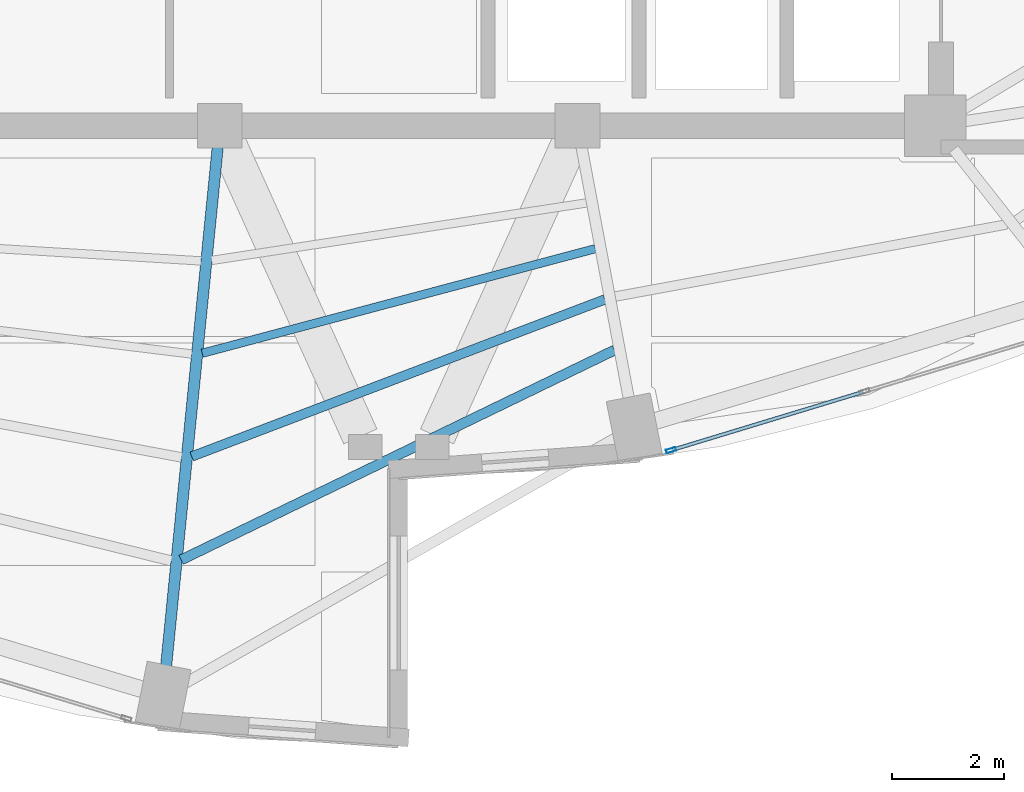
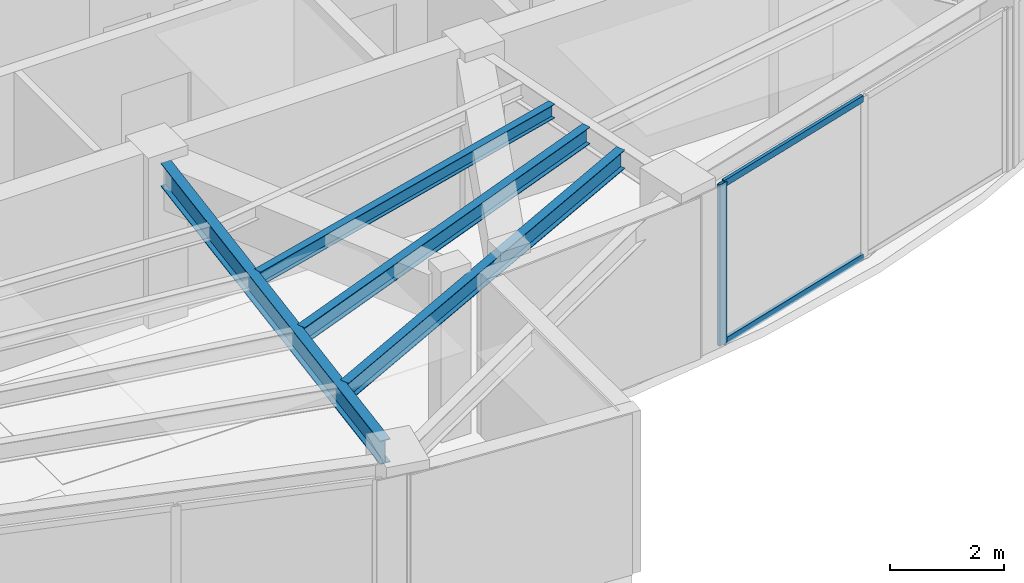
# One storey, part 6 of 23: 4 beams, 3 members, 1 element without a shape of its own.
"""IFC4 building model written with IfcOpenShell, lengths in metres."""

import ifcopenshell
import ifcopenshell.guid

model = None  # the IFC model being written
_history = None  # IfcOwnerHistory: only IFC2X3 demands one
_inside = {}  # id of a spatial element -> (the spatial element, [elements in it])
_under = {}  # id of a project, library or spatial element -> (it, [spatial elements below it])
_declared = {}  # id of a project -> (the project, [libraries it declares])
_typed = {}  # id of a type object -> (the type object, [elements of that type])
_made_of = {}  # id of a material, layer set ... -> (it, [elements and type objects made of it])


def new_model(schema):
    """Start an empty IFC model of exactly this schema.

    Asked for "IFC4X3", IfcOpenShell would pick the latest addendum, in which some entities
    have other attributes; the version numbers below select the first issue.
    IFC2X3 requires an IfcOwnerHistory on every rooted entity: one is made here for all.
    """
    global model, _history
    if schema == "IFC4X3":
        model = ifcopenshell.file(schema_version=(4, 3, 0, 0))
    else:
        model = ifcopenshell.file(schema=schema)
    _inside.clear()
    _under.clear()
    _declared.clear()
    _typed.clear()
    _made_of.clear()
    _history = None
    if model.schema == "IFC2X3":
        org = make("IfcOrganization", Name="unknown")
        user = make(
            "IfcPersonAndOrganization",
            ThePerson=make("IfcPerson", FamilyName="unknown"),
            TheOrganization=org,
        )
        app = make(
            "IfcApplication",
            ApplicationDeveloper=org,
            Version="unknown",
            ApplicationFullName="unknown",
            ApplicationIdentifier="unknown",
        )
        _history = make(
            "IfcOwnerHistory",
            OwningUser=user,
            OwningApplication=app,
            ChangeAction="ADDED",
            CreationDate=0,
        )
    return model


def make(cls, **values):
    """One entity of the class cls with the attributes given. An attribute that is None is left unset."""
    return model.create_entity(
        cls, **{name: value for name, value in values.items() if value is not None}
    )


def rooted(cls, **values):
    """An entity with a GlobalId (a new one), such as an element, a storey or a relation."""
    return make(cls, GlobalId=ifcopenshell.guid.new(), OwnerHistory=_history, **values)


def si_unit(unit_type, name, prefix=None):
    """IfcSIUnit, for example si_unit("LENGTHUNIT", "METRE", prefix="MILLI")."""
    return make("IfcSIUnit", UnitType=unit_type, Prefix=prefix, Name=name)


def assignment(units):
    """IfcUnitAssignment: the units of a project."""
    return None if units is None else make("IfcUnitAssignment", Units=units)


def point(xyz):
    """IfcCartesianPoint."""
    return None if xyz is None else make("IfcCartesianPoint", Coordinates=xyz)


def direction(xyz):
    """IfcDirection."""
    return None if xyz is None else make("IfcDirection", DirectionRatios=xyz)


def frame(location, z_axis=None, x_axis=None):
    """IfcAxis2Placement3D, a coordinate frame: its origin and axes. An axis left out is left unset."""
    return make(
        "IfcAxis2Placement3D",
        Location=point(location),
        Axis=direction(z_axis),
        RefDirection=direction(x_axis),
    )


def frame_2d(location, x_axis=None):
    """IfcAxis2Placement2D, a coordinate frame in the plane: its origin and x axis."""
    return make(
        "IfcAxis2Placement2D", Location=point(location), RefDirection=direction(x_axis)
    )


def origin():
    """The frame at (0, 0, 0) with its axes left unset."""
    return frame((0.0, 0.0, 0.0))


def origin_2d():
    """The frame at (0, 0) in the plane with its x axis left unset."""
    return frame_2d((0.0, 0.0))


def place(relative_to, where):
    """IfcLocalPlacement: puts the frame where relative to a parent placement (None: the world)."""
    return make(
        "IfcLocalPlacement", PlacementRelTo=relative_to, RelativePlacement=where
    )


def context(
    kind, dimensions, precision=None, world=None, true_north=None, identifier=None
):
    """IfcGeometricRepresentationContext, for example the 3D "Model" context."""
    return make(
        "IfcGeometricRepresentationContext",
        ContextIdentifier=identifier,
        ContextType=kind,
        CoordinateSpaceDimension=dimensions,
        Precision=precision,
        WorldCoordinateSystem=world,
        TrueNorth=true_north,
    )


def subcontext(parent, identifier, kind, view, scale=None):
    """IfcGeometricRepresentationSubContext, for example "Body" below "Model"."""
    return make(
        "IfcGeometricRepresentationSubContext",
        ContextIdentifier=identifier,
        ContextType=kind,
        ParentContext=parent,
        TargetScale=scale,
        TargetView=view,
    )


def project(units=None, contexts=None):
    """IfcProject with its units and contexts."""
    return rooted(
        "IfcProject",
        Name="project",
        RepresentationContexts=contexts,
        UnitsInContext=assignment(units),
    )


def spatial(cls, under=None, at=None, **own):
    """A site, building, storey or space (cls), placed at a placement, below another one or the project."""
    s = rooted(cls, ObjectPlacement=at, **own)
    if under is not None:
        _under.setdefault(under.id(), (under, []))[1].append(s)
    return s


def profile(cls, at=None, kind="AREA", **sizes):
    """A parametric profile (cls). Its sizes go by their IFC names, for example OverallWidth=200.0."""
    return make(cls, ProfileType=kind, Position=at, **sizes)


def hollow_rectangle(**sizes):
    """IfcRectangleHollowProfileDef."""
    return profile("IfcRectangleHollowProfileDef", **sizes)


def i_section(**sizes):
    """IfcIShapeProfileDef."""
    return profile("IfcIShapeProfileDef", **sizes)


def extrude(swept, where, along, depth):
    """IfcExtrudedAreaSolid: the profile swept, set in the frame where, extruded along a direction by depth."""
    return make(
        "IfcExtrudedAreaSolid",
        SweptArea=swept,
        Position=where,
        ExtrudedDirection=direction(along),
        Depth=depth,
    )


def shape(context_of_items, identifier, shape_type, items):
    """IfcShapeRepresentation: the items that make up one representation, for example the "Body"."""
    return make(
        "IfcShapeRepresentation",
        ContextOfItems=context_of_items,
        RepresentationIdentifier=identifier,
        RepresentationType=shape_type,
        Items=items,
    )


def material(Name=None, Category=None):
    """IfcMaterial."""
    return make("IfcMaterial", Name=Name, Category=Category)


def layer(
    of_material, thickness, ventilated=None, Name=None, Category=None, Priority=None
):
    """IfcMaterialLayer: one layer of a wall or slab, of a material (None: an air gap)."""
    return make(
        "IfcMaterialLayer",
        Material=of_material,
        LayerThickness=thickness,
        IsVentilated=ventilated,
        Name=Name,
        Category=Category,
        Priority=Priority,
    )


def layer_set(layers, Name=None):
    """IfcMaterialLayerSet."""
    return make("IfcMaterialLayerSet", MaterialLayers=layers, LayerSetName=Name)


def material_profile(
    of_material, cross_section, Name=None, Category=None, Priority=None
):
    """IfcMaterialProfile: a cross section and its material."""
    return make(
        "IfcMaterialProfile",
        Name=Name,
        Material=of_material,
        Profile=cross_section,
        Priority=Priority,
        Category=Category,
    )


def profile_set(profiles, Name=None, composite=None):
    """IfcMaterialProfileSet."""
    return make(
        "IfcMaterialProfileSet",
        Name=Name,
        MaterialProfiles=profiles,
        CompositeProfile=composite,
    )


def made_of(thing, what):
    """Note that an element or type object is made of a material, layer set ...; save() writes the relation."""
    if what is not None:
        _made_of.setdefault(what.id(), (what, []))[1].append(thing)
    return thing


def type_object(cls, material=None, **own):
    """A type object (cls), such as IfcWallType, which elements share."""
    return made_of(rooted(cls, **own), material)


def element(
    cls,
    number,
    at=None,
    inside=None,
    cuts=None,
    type_object=None,
    material=None,
    context=None,
    identifier="Body",
    shape_type=None,
    held_by="IfcProductDefinitionShape",
    body=None,
    shapes=None,
    **own,
):
    """One element of the class cls, such as IfcWall. Its Tag is "e" and its number.

    at: its placement. inside: the storey or other place that contains it. cuts: it is an
    opening in that element (IfcRelVoidsElement). A single representation is given by context,
    identifier, shape_type and body (its items); several are given by shapes. held_by: the class
    of the entity that holds the representations. save() writes the other relations.
    """
    e = rooted(cls, Tag="e%d" % number, ObjectPlacement=at, **own)
    if body is not None:
        shapes = [shape(context, identifier, shape_type, body)]
    if shapes is not None:
        e.Representation = make(held_by, Representations=shapes)
    if inside is not None:
        _inside.setdefault(inside.id(), (inside, []))[1].append(e)
    if cuts is not None:
        rooted(
            "IfcRelVoidsElement", RelatingBuildingElement=cuts, RelatedOpeningElement=e
        )
    if type_object is not None:
        _typed.setdefault(type_object.id(), (type_object, []))[1].append(e)
    return made_of(e, material)


def aggregate(whole, parts):
    """IfcRelAggregates: a whole, such as a stair, and the parts it consists of."""
    return rooted("IfcRelAggregates", RelatingObject=whole, RelatedObjects=parts)


def save(model, path):
    """Write the relations noted so far, then the file.

    IfcRelAggregates (storeys below a building ...), IfcRelContainedInSpatialStructure (elements
    in a storey), IfcRelDefinesByType, IfcRelAssociatesMaterial and IfcRelDeclares: one each for
    every whole, place, type object, material and project.
    """
    for whole, parts in _under.values():
        aggregate(whole, parts)
    for where, things in _inside.values():
        rooted(
            "IfcRelContainedInSpatialStructure",
            RelatedElements=things,
            RelatingStructure=where,
        )
    for kind, things in _typed.values():
        rooted("IfcRelDefinesByType", RelatedObjects=things, RelatingType=kind)
    for what, things in _made_of.values():
        rooted("IfcRelAssociatesMaterial", RelatedObjects=things, RelatingMaterial=what)
    for by, libraries in _declared.values():
        rooted("IfcRelDeclares", RelatingContext=by, RelatedDefinitions=libraries)
    model.write(path)


model = new_model("IFC4")

# Units and contexts
model_context = context("Model", 3, precision=1e-05, world=origin(), true_north=direction((0.0, 1.0)))
body_context = subcontext(model_context, "Body", "Model", "MODEL_VIEW")
ifc_project = project(units=[si_unit("LENGTHUNIT", "METRE"), si_unit("AREAUNIT", "SQUARE_METRE"), si_unit("VOLUMEUNIT", "CUBIC_METRE"), si_unit("PLANEANGLEUNIT", "RADIAN"), si_unit("MASSUNIT", "GRAM", prefix="KILO")], contexts=[model_context])

# Site, building, storey
site_placement = place(None, origin())
site = spatial("IfcSite", under=ifc_project, at=site_placement, CompositionType="ELEMENT")
building_placement = place(site_placement, origin())
building = spatial("IfcBuilding", under=site, at=building_placement, Name="Lazwardi Medical Tower", CompositionType="ELEMENT")
storey_placement = place(building_placement, frame((0.0, 0.0, 231.31201171875)))
storey = spatial("IfcBuildingStorey", under=building, at=storey_placement, Name="L60", CompositionType="ELEMENT", Elevation=231.31201171875)

# Beams
ifc_material_1 = material(Name="Steel S355", Category="steel")
ifc_material_profile_1 = material_profile(ifc_material_1, i_section(OverallWidth=0.199951171875, OverallDepth=0.5, WebThickness=0.01025390625, FlangeThickness=0.01611328125, at=origin_2d()), Name="IPE 500")
ifc_profile_set_1 = profile_set([ifc_material_profile_1], Name="Steel S355")
beam_type_1 = type_object("IfcBeamType", Name="BM-RG-W3", PredefinedType="BEAM", material=ifc_profile_set_1)
beam_1_placement = place(storey_placement, frame((31.8388671875, 10.734130859375, 3.197998046875), z_axis=(0.098954361922, 0.995091972763, 0.0), x_axis=(-0.995091972763, 0.098954361922, 0.0)))
element("IfcBeam", 1, at=beam_1_placement, inside=storey, type_object=beam_type_1, Name="Radial girder RG-04 R16 L60", PredefinedType="BEAM", context=body_context, shape_type="SweptSolid", body=[
    extrude(i_section(OverallWidth=0.199951171875, OverallDepth=0.5, WebThickness=0.01025390625, FlangeThickness=0.01611328125, at=origin_2d()), origin(), (0.0, 0.0, 1.0), 9.32861328125),
])
ifc_material_profile_2 = material_profile(ifc_material_1, i_section(OverallWidth=0.179931640625, OverallDepth=0.39990234375, WebThickness=0.008544921875, FlangeThickness=0.013427734375, at=origin_2d()), Name="IPE 400")
ifc_profile_set_2 = profile_set([ifc_material_profile_2], Name="Steel S355")
beam_type_2 = type_object("IfcBeamType", Name="BM-SJ-01", PredefinedType="JOIST", material=ifc_profile_set_2)
beam_2_placement = place(storey_placement, frame((32.10888671875, 12.632080078125, 3.248046875), z_axis=(0.900068885459, 0.435747635024, 0.0), x_axis=(-0.435747635024, 0.900068885459, 0.0)))
element("IfcBeam", 2, at=beam_2_placement, inside=storey, type_object=beam_type_2, Name="Secondary joist SJ-01 R1 B16 L60", PredefinedType="JOIST", context=body_context, shape_type="SweptSolid", body=[
    extrude(i_section(OverallWidth=0.179931640625, OverallDepth=0.39990234375, WebThickness=0.008544921875, FlangeThickness=0.013427734375, at=origin_2d()), origin(), (0.0, 0.0, 1.0), 8.612548828125),
])
ifc_material_profile_3 = material_profile(ifc_material_1, i_section(OverallWidth=0.169921875, OverallDepth=0.360107421875, WebThickness=0.008056640625, FlangeThickness=0.0126953125, at=origin_2d()), Name="IPE 360")
ifc_profile_set_3 = profile_set([ifc_material_profile_3], Name="Steel S355")
beam_type_3 = type_object("IfcBeamType", Name="BM-SJ-02", PredefinedType="JOIST", material=ifc_profile_set_3)
beam_3_placement = place(storey_placement, frame((32.296875, 14.48095703125, 3.26806640625), z_axis=(0.934714470268, 0.355399576633, 0.0), x_axis=(-0.355399576633, 0.934714470268, 0.0)))
element("IfcBeam", 3, at=beam_3_placement, inside=storey, type_object=beam_type_3, Name="Secondary joist SJ-02 R2 B16 L60", PredefinedType="JOIST", context=body_context, shape_type="SweptSolid", body=[
    extrude(i_section(OverallWidth=0.169921875, OverallDepth=0.360107421875, WebThickness=0.008056640625, FlangeThickness=0.0126953125, at=origin_2d()), origin(), (0.0, 0.0, 1.0), 7.908203125),
])
ifc_material_profile_4 = material_profile(ifc_material_1, i_section(OverallWidth=0.14990234375, OverallDepth=0.300048828125, WebThickness=0.007080078125, FlangeThickness=0.0107421875, at=origin_2d()), Name="IPE 300")
ifc_profile_set_4 = profile_set([ifc_material_profile_4], Name="Steel S355")
beam_type_4 = type_object("IfcBeamType", Name="BM-SJ-03", PredefinedType="JOIST", material=ifc_profile_set_4)
beam_4_placement = place(storey_placement, frame((32.484619140625, 16.328125, 3.298095703125), z_axis=(0.966369007826, 0.257159368316, 0.0), x_axis=(-0.257159368316, 0.966369007826, 0.0)))
element("IfcBeam", 4, at=beam_4_placement, inside=storey, type_object=beam_type_4, Name="Secondary joist SJ-03 R3 B16 L60", PredefinedType="JOIST", context=body_context, shape_type="SweptSolid", body=[
    extrude(i_section(OverallWidth=0.14990234375, OverallDepth=0.300048828125, WebThickness=0.007080078125, FlangeThickness=0.0107421875, at=origin_2d()), origin(), (0.0, 0.0, 1.0), 7.27685546875),
])

# Curtain wall, members
ifc_material_2 = material(Name="Anodised bronze aluminium and solar control glazing", Category="aluminium")
ifc_layer = layer(ifc_material_2, 0.18994140625)
ifc_layer_set = layer_set([ifc_layer], Name="Anodised bronze aluminium and solar control glazing")
curtain_wall_type = type_object("IfcCurtainWallType", Name="CW-SYS-04", PredefinedType="NOTDEFINED", material=ifc_layer_set)
curtain_wall_placement = place(storey_placement, origin())
curtain_wall = element("IfcCurtainWall", 5, at=curtain_wall_placement, inside=storey, type_object=curtain_wall_type, Name="L60 Unitised bronze curtain wall CW-04", PredefinedType="NOTDEFINED")
ifc_material_3 = material(Name="Anodised bronze aluminium", Category="aluminium")
ifc_material_profile_5 = material_profile(ifc_material_3, hollow_rectangle(XDim=0.06494140625, YDim=0.179931640625, WallThickness=0.00390625, at=origin_2d()), Name="ALU-MULLION 180x65x4")
ifc_profile_set_5 = profile_set([ifc_material_profile_5], Name="Anodised bronze aluminium")
member_type_1 = type_object("IfcMemberType", Name="CW-MUL-03", PredefinedType="MULLION", material=ifc_profile_set_5)
member_1_placement = place(storey_placement, frame((40.873046875, 14.593017578125, 0.0), z_axis=(0.0, 0.0, 1.0), x_axis=(-0.290581889515, 0.956850126972, 0.0)))
member_1 = element("IfcMember", 6, at=member_1_placement, type_object=member_type_1, Name="CW-04 mullion 1", PredefinedType="MULLION", context=body_context, shape_type="SweptSolid", body=[
    extrude(hollow_rectangle(XDim=0.06494140625, YDim=0.179931640625, WallThickness=0.00390625, at=origin_2d()), origin(), (0.0, 0.0, 1.0), 3.447998046875),
])
ifc_material_profile_6 = material_profile(ifc_material_3, hollow_rectangle(XDim=0.06494140625, YDim=0.139892578125, WallThickness=0.00341796875, at=origin_2d()), Name="ALU-TRANSOM 140x65x3.5")
ifc_profile_set_6 = profile_set([ifc_material_profile_6], Name="Anodised bronze aluminium")
member_type_2 = type_object("IfcMemberType", Name="CW-TRN-03", PredefinedType="USERDEFINED", material=ifc_profile_set_6)
member_2_placement = place(storey_placement, frame((40.904296875, 14.602294921875, 0.032470703125), z_axis=(0.956843409009, 0.290604010015, 0.0), x_axis=(-0.290604010015, 0.956843409009, 0.0)))
member_2 = element("IfcMember", 7, at=member_2_placement, type_object=member_type_2, Name="CW-04 transom 1.1", ObjectType="TRANSOM", PredefinedType="USERDEFINED", context=body_context, shape_type="SweptSolid", body=[
    extrude(hollow_rectangle(XDim=0.06494140625, YDim=0.139892578125, WallThickness=0.00341796875, at=origin_2d()), origin(), (0.0, 0.0, 1.0), 3.554443359375),
])
member_3_placement = place(storey_placement, frame((40.904296875, 14.602294921875, 3.41552734375), z_axis=(0.956843409009, 0.290604010015, 0.0), x_axis=(-0.290604010015, 0.956843409009, 0.0)))
member_3 = element("IfcMember", 8, at=member_3_placement, type_object=member_type_2, Name="CW-04 transom 1.2", ObjectType="TRANSOM", PredefinedType="USERDEFINED", context=body_context, shape_type="SweptSolid", body=[
    extrude(hollow_rectangle(XDim=0.06494140625, YDim=0.139892578125, WallThickness=0.00341796875, at=origin_2d()), origin(), (0.0, 0.0, 1.0), 3.554443359375),
])
aggregate(curtain_wall, [member_1, member_2, member_3])

save(model, "model.ifc")
